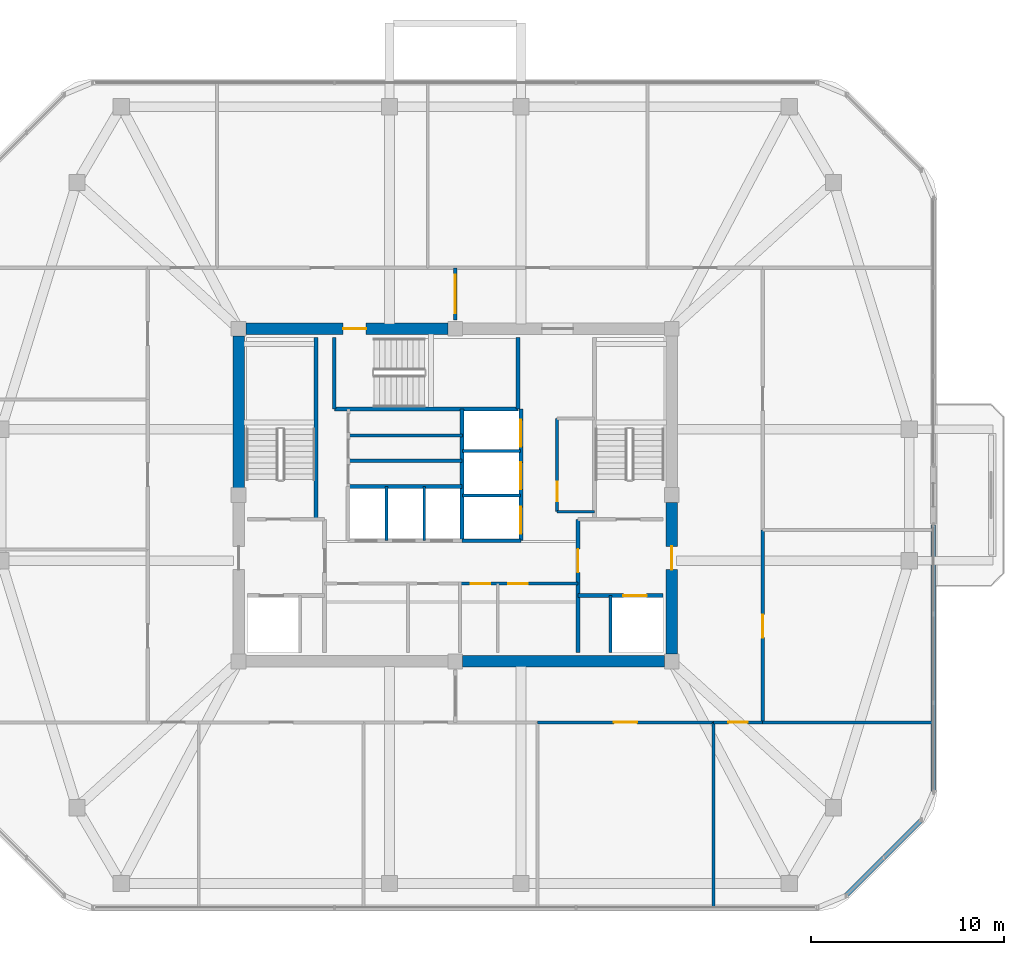
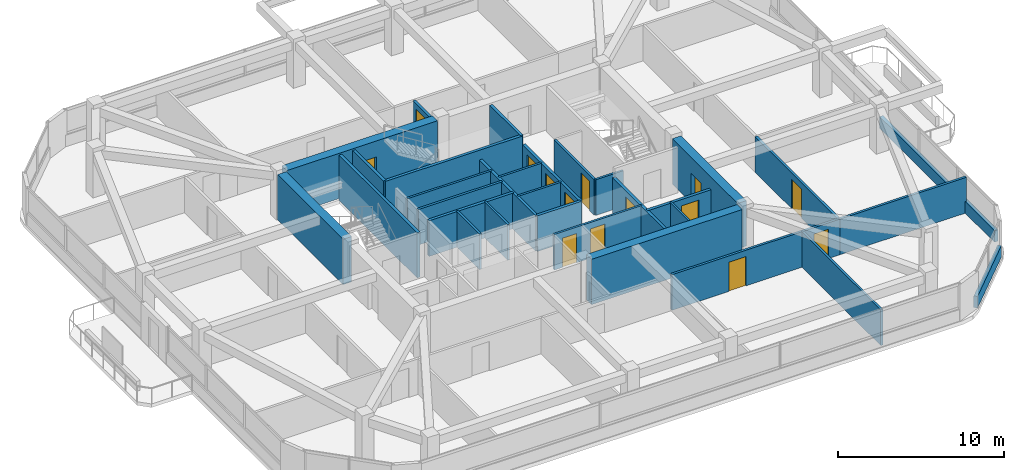
# One storey, part 10 of 13: 32 walls, 14 doors, 14 openings.
"""IFC4 building model written with IfcOpenShell, lengths in metres."""

from ifc_helpers import new_model, si_unit, derived_unit, direction, frame, frame_2d, origin, place, context, subcontext, project, spatial, rectangle, extrude, material, layer, layer_set, type_object, element, fill, save


model = new_model("IFC4")

# Units and contexts
model_context = context("Model", 3, precision=1e-05, world=origin(), true_north=direction((0.0, 1.0)))
body_context = subcontext(model_context, "Body", "Model", "MODEL_VIEW")
ifc_project = project(units=[si_unit("LENGTHUNIT", "METRE"), si_unit("AREAUNIT", "SQUARE_METRE"), si_unit("VOLUMEUNIT", "CUBIC_METRE"), si_unit("PLANEANGLEUNIT", "RADIAN"), si_unit("MASSUNIT", "GRAM", prefix="KILO"), derived_unit("THERMALTRANSMITTANCEUNIT", [(si_unit("POWERUNIT", "WATT"), 1), (si_unit("LENGTHUNIT", "METRE"), -2), (si_unit("THERMODYNAMICTEMPERATUREUNIT", "KELVIN"), -1)])], contexts=[model_context])

# Site, building, storey
site_placement = place(None, origin())
site = spatial("IfcSite", under=ifc_project, at=site_placement, CompositionType="ELEMENT")
building_placement = place(site_placement, origin())
building = spatial("IfcBuilding", under=site, at=building_placement, Name="Koralith Skygarden Medical Center", CompositionType="ELEMENT")
storey_placement = place(building_placement, frame((0.0, 0.0, 271.6201171875)))
storey = spatial("IfcBuildingStorey", under=building, at=storey_placement, Name="L70", CompositionType="ELEMENT", Elevation=271.6201171875)

# Wall, openings, doors
ifc_material_1 = material(Name="Gypsum Board Partition")
ifc_layer_1 = layer(ifc_material_1, 0.14990234375)
ifc_layer_set_1 = layer_set([ifc_layer_1], Name="Gypsum Board Partition")
wall_type_1 = type_object("IfcWallType", Name="Clinical Acoustic Partition 150", PredefinedType="PARTITIONING", material=ifc_layer_set_1)
wall_1_placement = place(storey_placement, frame((37.25, 21.320068359375, 0.0), z_axis=(0.0, 0.0, 1.0), x_axis=(1.0, 0.0, 0.0)))
wall_1 = element("IfcWall", 1, at=wall_1_placement, inside=storey, type_object=wall_type_1, Name="L70 Clinical Acoustic Partition 150 W-CORE-L70-FREED-MR-N", PredefinedType="PARTITIONING", context=body_context, shape_type="SweptSolid", body=[
    extrude(rectangle(XDim=6.10009765625, YDim=0.14990234375, at=frame_2d((3.050048828125, 0.0))), origin(), (0.0, 0.0, 1.0), 2.60986328125),
])
opening_1_placement = place(wall_1_placement, frame((0.550048828125, 0.0, 0.0)))
opening_1 = element("IfcOpeningElement", 2, at=opening_1_placement, cuts=wall_1, Name="Opening D-SUP", PredefinedType="OPENING", context=body_context, shape_type="SweptSolid", body=[
    extrude(rectangle(XDim=1.0, YDim=2.14990234375, at=frame_2d((0.5, 1.074951171875))), frame((0.0, 0.0849609375, 0.0), z_axis=(0.0, -1.0, 0.0), x_axis=(1.0, 0.0, 0.0)), (0.0, 0.0, 1.0), 0.169921875),
])
opening_2_placement = place(wall_1_placement, frame((2.5, 0.0, 0.0)))
opening_2 = element("IfcOpeningElement", 3, at=opening_2_placement, cuts=wall_1, Name="Opening D-SUP", PredefinedType="OPENING", context=body_context, shape_type="SweptSolid", body=[
    extrude(rectangle(XDim=1.0, YDim=2.14990234375, at=frame_2d((0.5, 1.074951171875))), frame((0.0, 0.0849609375, 0.0), z_axis=(0.0, -1.0, 0.0), x_axis=(1.0, 0.0, 0.0)), (0.0, 0.0, 1.0), 0.169921875),
])
ifc_material_2 = material(Name="Aluminium 6063-T6", Category="aluminium")
door_type_1 = type_object("IfcDoorType", Name="Clinical Support Door D-SUP 1000", OperationType="NOTDEFINED", PredefinedType="DOOR", material=ifc_material_2)
door_1_placement = place(opening_1_placement, frame((1.0, 0.0, 0.0), z_axis=(0.0, 0.0, 1.0), x_axis=(-1.0, 0.0, 0.0)))
door_1 = element("IfcDoor", 4, at=door_1_placement, inside=storey, type_object=door_type_1, Name="L70 Satellite Pharmacy Door", OperationType="SINGLE_SWING_LEFT", OverallHeight=2.14990234375, OverallWidth=1.0, PredefinedType="DOOR", context=body_context, shape_type="SweptSolid", body=[
    extrude(rectangle(XDim=1.0, YDim=2.14990234375, at=frame_2d((0.5, 1.074951171875))), frame((0.0, 0.02490234375, 0.0), z_axis=(0.0, -1.0, 0.0), x_axis=(1.0, 0.0, 0.0)), (0.0, 0.0, 1.0), 0.050048828125),
])
fill(opening_1, door_1)
door_2_placement = place(opening_2_placement, frame((1.0, 0.0, 0.0), z_axis=(0.0, 0.0, 1.0), x_axis=(-1.0, 0.0, 0.0)))
door_2 = element("IfcDoor", 5, at=door_2_placement, inside=storey, type_object=door_type_1, Name="L70 Biomedical Equipment Door", OperationType="SINGLE_SWING_RIGHT", OverallHeight=2.14990234375, OverallWidth=1.0, PredefinedType="DOOR", context=body_context, shape_type="SweptSolid", body=[
    extrude(rectangle(XDim=1.0, YDim=2.14990234375, at=frame_2d((0.5, 1.074951171875))), frame((0.0, 0.02490234375, 0.0), z_axis=(0.0, -1.0, 0.0), x_axis=(1.0, 0.0, 0.0)), (0.0, 0.0, 1.0), 0.050048828125),
])
fill(opening_2, door_2)

# Wall, opening, door
wall_2_placement = place(storey_placement, frame((42.27001953125, 25.0400390625, 0.0), z_axis=(0.0, 0.0, 1.0), x_axis=(0.0, 1.0, 0.0)))
wall_2 = element("IfcWall", 6, at=wall_2_placement, inside=storey, type_object=wall_type_1, Name="L70 Clinical Acoustic Partition 150 W-CORE-L70-ESUB-W", PredefinedType="PARTITIONING", context=body_context, shape_type="SweptSolid", body=[
    extrude(rectangle(XDim=4.820068359375, YDim=0.14990234375, at=frame_2d((2.41015625, 0.0))), origin(), (0.0, 0.0, 1.0), 2.60986328125),
])
opening_3_placement = place(wall_2_placement, frame((0.550048828125, 0.0, 0.0)))
opening_3 = element("IfcOpeningElement", 7, at=opening_3_placement, cuts=wall_2, Name="Opening D-SUP", PredefinedType="OPENING", context=body_context, shape_type="SweptSolid", body=[
    extrude(rectangle(XDim=1.0, YDim=2.14990234375, at=frame_2d((0.5, 1.074951171875))), frame((0.0, 0.0849609375, 0.0), z_axis=(0.0, -1.0, 0.0), x_axis=(1.0, 0.0, 0.0)), (0.0, 0.0, 1.0), 0.169921875),
])
door_3_placement = place(opening_3_placement, origin())
door_3 = element("IfcDoor", 8, at=door_3_placement, inside=storey, type_object=door_type_1, Name="L70 Core Equipment Store Door", OperationType="SINGLE_SWING_LEFT", OverallHeight=2.14990234375, OverallWidth=1.0, PredefinedType="DOOR", context=body_context, shape_type="SweptSolid", body=[
    extrude(rectangle(XDim=1.0, YDim=2.14990234375, at=frame_2d((0.5, 1.074951171875))), frame((0.0, 0.02490234375, 0.0), z_axis=(0.0, -1.0, 0.0), x_axis=(1.0, 0.0, 0.0)), (0.0, 0.0, 1.0), 0.050048828125),
])
fill(opening_3, door_3)

# Walls
wall_3_placement = place(storey_placement, frame((42.27001953125, 25.0400390625, 0.0), z_axis=(0.0, 0.0, 1.0), x_axis=(1.0, 0.0, 0.0)))
element("IfcWall", 9, at=wall_3_placement, inside=storey, type_object=wall_type_1, Name="L70 Clinical Acoustic Partition 150 W-CORE-L70-ESUB-S", PredefinedType="PARTITIONING", context=body_context, shape_type="SweptSolid", body=[
    extrude(rectangle(XDim=1.929931640625, YDim=0.14990234375, at=frame_2d((0.96484375, 0.0))), origin(), (0.0, 0.0, 1.0), 2.60986328125),
])
wall_4_placement = place(storey_placement, frame((31.47998046875, 28.97998046875, 0.0), z_axis=(0.0, 0.0, 1.0), x_axis=(1.0, 0.0, 0.0)))
element("IfcWall", 10, at=wall_4_placement, inside=storey, type_object=wall_type_1, Name="L70 Clinical Acoustic Partition 150 W-CORE-L70-FLEX-H1B", PredefinedType="PARTITIONING", context=body_context, shape_type="SweptSolid", body=[
    extrude(rectangle(XDim=5.89013671875, YDim=0.14990234375, at=frame_2d((2.945068359375, 0.0))), origin(), (0.0, 0.0, 1.0), 2.60986328125),
])
wall_5_placement = place(storey_placement, frame((50.35009765625, 14.14990234375, 0.0), z_axis=(0.0, 0.0, 1.0), x_axis=(0.0, -1.0, 0.0)))
element("IfcWall", 11, at=wall_5_placement, inside=storey, type_object=wall_type_1, Name="L70 Clinical Acoustic Partition 150 W-PART-L70-S-04", PredefinedType="PARTITIONING", context=body_context, shape_type="SweptSolid", body=[
    extrude(rectangle(XDim=9.5498046875, YDim=0.14990234375, at=frame_2d((4.77490234375, 0.0))), origin(), (0.0, 0.0, 1.0), 2.60986328125),
])
ifc_layer_2 = layer(ifc_material_1, 0.1650390625)
ifc_layer_set_2 = layer_set([ifc_layer_2], Name="Gypsum Board Partition")
wall_type_2 = type_object("IfcWallType", Name="Clinical Corridor Partition 165", PredefinedType="PARTITIONING", material=ifc_layer_set_2)
wall_6_placement = place(storey_placement, frame((52.89990234375, 14.14990234375, 0.0), z_axis=(0.0, 0.0, 1.0), x_axis=(1.0, 0.0, 0.0)))
element("IfcWall", 12, at=wall_6_placement, inside=storey, type_object=wall_type_2, Name="L70 Clinical Corridor Partition 165 W-WB-L70-SE", PredefinedType="PARTITIONING", context=body_context, shape_type="SweptSolid", body=[
    extrude(rectangle(XDim=8.800048828125, YDim=0.1650390625, at=frame_2d((4.39990234375, 0.0))), origin(), (0.0, 0.0, 1.0), 2.60986328125),
])

# Wall, opening, door
wall_7_placement = place(storey_placement, frame((41.261962890625, 14.14990234375, 0.0), z_axis=(0.0, 0.0, 1.0), x_axis=(1.0, 0.0, 0.0)))
wall_7 = element("IfcWall", 13, at=wall_7_placement, inside=storey, type_object=wall_type_2, Name="L70 Clinical Corridor Partition 165 W-CORR-L70-S-04", PredefinedType="PARTITIONING", context=body_context, shape_type="SweptSolid", body=[
    extrude(rectangle(XDim=9.088134765625, YDim=0.1650390625, at=frame_2d((4.5439453125, 0.0))), origin(), (0.0, 0.0, 1.0), 2.60986328125),
])
opening_4_placement = place(wall_7_placement, frame((3.944091796875, 0.0, 0.0)))
opening_4 = element("IfcOpeningElement", 14, at=opening_4_placement, cuts=wall_7, Name="Opening D-CLN", PredefinedType="OPENING", context=body_context, shape_type="SweptSolid", body=[
    extrude(rectangle(XDim=1.199951171875, YDim=2.14990234375, at=frame_2d((0.60009765625, 1.074951171875))), frame((0.0, 0.092529296875, 0.0), z_axis=(0.0, -1.0, 0.0), x_axis=(1.0, 0.0, 0.0)), (0.0, 0.0, 1.0), 0.18505859375),
])
door_type_2 = type_object("IfcDoorType", Name="Clinical Corridor Door D-CLN 1200", OperationType="NOTDEFINED", PredefinedType="DOOR", material=ifc_material_2)
door_4_placement = place(opening_4_placement, frame((1.199951171875, 0.0, 0.0), z_axis=(0.0, 0.0, 1.0), x_axis=(-1.0, 0.0, 0.0)))
door_4 = element("IfcDoor", 15, at=door_4_placement, inside=storey, type_object=door_type_2, Name="L70 Oxygen Cylinder Alcove Store 08 Door", OperationType="SINGLE_SWING_LEFT", OverallHeight=2.14990234375, OverallWidth=1.199951171875, PredefinedType="DOOR", context=body_context, shape_type="SweptSolid", body=[
    extrude(rectangle(XDim=1.199951171875, YDim=2.14990234375, at=frame_2d((0.60009765625, 1.074951171875))), frame((0.0, 0.02490234375, 0.0), z_axis=(0.0, -1.0, 0.0), x_axis=(1.0, 0.0, 0.0)), (0.0, 0.0, 1.0), 0.050048828125),
])
fill(opening_4, door_4)

wall_8_placement = place(storey_placement, frame((50.35009765625, 14.14990234375, 0.0), z_axis=(0.0, 0.0, 1.0), x_axis=(1.0, 0.0, 0.0)))
wall_8 = element("IfcWall", 16, at=wall_8_placement, inside=storey, type_object=wall_type_2, Name="L70 Clinical Corridor Partition 165 W-CORR-L70-S-05", PredefinedType="PARTITIONING", context=body_context, shape_type="SweptSolid", body=[
    extrude(rectangle(XDim=2.5498046875, YDim=0.1650390625, at=frame_2d((1.27490234375, 0.0))), origin(), (0.0, 0.0, 1.0), 2.60986328125),
])
opening_5_placement = place(wall_8_placement, frame((0.77490234375, 0.0, 0.0)))
opening_5 = element("IfcOpeningElement", 17, at=opening_5_placement, cuts=wall_8, Name="Opening D-SUP", PredefinedType="OPENING", context=body_context, shape_type="SweptSolid", body=[
    extrude(rectangle(XDim=1.0, YDim=2.14990234375, at=frame_2d((0.5, 1.074951171875))), frame((0.0, 0.092529296875, 0.0), z_axis=(0.0, -1.0, 0.0), x_axis=(1.0, 0.0, 0.0)), (0.0, 0.0, 1.0), 0.18505859375),
])
door_5_placement = place(opening_5_placement, frame((1.0, 0.0, 0.0), z_axis=(0.0, 0.0, 1.0), x_axis=(-1.0, 0.0, 0.0)))
door_5 = element("IfcDoor", 18, at=door_5_placement, inside=storey, type_object=door_type_1, Name="L70 Pulmonary Rehab Exercise Hall 09 Door", OperationType="SINGLE_SWING_RIGHT", OverallHeight=2.14990234375, OverallWidth=1.0, PredefinedType="DOOR", context=body_context, shape_type="SweptSolid", body=[
    extrude(rectangle(XDim=1.0, YDim=2.14990234375, at=frame_2d((0.5, 1.074951171875))), frame((0.0, 0.02490234375, 0.0), z_axis=(0.0, -1.0, 0.0), x_axis=(1.0, 0.0, 0.0)), (0.0, 0.0, 1.0), 0.050048828125),
])
fill(opening_5, door_5)

wall_9_placement = place(storey_placement, frame((52.89990234375, 14.14990234375, 0.0), z_axis=(0.0, 0.0, 1.0), x_axis=(0.0, 1.0, 0.0)))
wall_9 = element("IfcWall", 19, at=wall_9_placement, inside=storey, type_object=wall_type_2, Name="L70 Clinical Corridor Partition 165 W-CORR-L70-E-01", PredefinedType="PARTITIONING", context=body_context, shape_type="SweptSolid", body=[
    extrude(rectangle(XDim=9.9501953125, YDim=0.1650390625, at=frame_2d((4.97509765625, 0.0))), origin(), (0.0, 0.0, 1.0), 2.60986328125),
])
opening_6_placement = place(wall_9_placement, frame((4.375, 0.0, 0.0)))
opening_6 = element("IfcOpeningElement", 20, at=opening_6_placement, cuts=wall_9, Name="Opening D-CLN", PredefinedType="OPENING", context=body_context, shape_type="SweptSolid", body=[
    extrude(rectangle(XDim=1.199951171875, YDim=2.14990234375, at=frame_2d((0.60009765625, 1.074951171875))), frame((0.0, 0.092529296875, 0.0), z_axis=(0.0, -1.0, 0.0), x_axis=(1.0, 0.0, 0.0)), (0.0, 0.0, 1.0), 0.18505859375),
])
door_6_placement = place(opening_6_placement, origin())
door_6 = element("IfcDoor", 21, at=door_6_placement, inside=storey, type_object=door_type_2, Name="L70 Oxygen Cylinder Alcove Store 13 Door", OperationType="SINGLE_SWING_RIGHT", OverallHeight=2.14990234375, OverallWidth=1.199951171875, PredefinedType="DOOR", context=body_context, shape_type="SweptSolid", body=[
    extrude(rectangle(XDim=1.199951171875, YDim=2.14990234375, at=frame_2d((0.60009765625, 1.074951171875))), frame((0.0, 0.02490234375, 0.0), z_axis=(0.0, -1.0, 0.0), x_axis=(1.0, 0.0, 0.0)), (0.0, 0.0, 1.0), 0.050048828125),
])
fill(opening_6, door_6)

ifc_layer_3 = layer(ifc_material_1, 0.199951171875)
ifc_layer_set_3 = layer_set([ifc_layer_3], Name="Gypsum Board Partition")
wall_type_3 = type_object("IfcWallType", Name="Fire Shaft Wall 200", PredefinedType="SOLIDWALL", material=ifc_layer_set_3)
wall_10_placement = place(storey_placement, frame((43.35009765625, 20.699951171875, 0.0), z_axis=(0.0, 0.0, 1.0), x_axis=(1.0, 0.0, 0.0)))
wall_10 = element("IfcWall", 22, at=wall_10_placement, inside=storey, type_object=wall_type_3, Name="L70 Fire Shaft Wall 200 W-CORE-L70-FF2-N", PredefinedType="SOLIDWALL", context=body_context, shape_type="SweptSolid", body=[
    extrude(rectangle(XDim=4.39990234375, YDim=0.199951171875, at=frame_2d((2.199951171875, 0.0))), origin(), (0.0, 0.0, 1.0), 2.60986328125),
])
opening_7_placement = place(wall_10_placement, frame((2.35009765625, 0.0, 0.0)))
opening_7 = element("IfcOpeningElement", 23, at=opening_7_placement, cuts=wall_10, Name="Opening LD-FF", PredefinedType="OPENING", context=body_context, shape_type="SweptSolid", body=[
    extrude(rectangle(XDim=1.199951171875, YDim=2.14990234375, at=frame_2d((0.60009765625, 1.074951171875))), frame((0.0, 0.10986328125, 0.0), z_axis=(0.0, -1.0, 0.0), x_axis=(1.0, 0.0, 0.0)), (0.0, 0.0, 1.0), 0.219970703125),
])
ifc_material_3 = material(Name="Steel ASTM A500 Grade C", Category="steel")
door_type_3 = type_object("IfcDoorType", Name="Fire Lift Sliding Landing Door LD-FF 1200", OperationType="NOTDEFINED", PredefinedType="DOOR", material=ifc_material_3)
door_7_placement = place(opening_7_placement, origin())
door_7 = element("IfcDoor", 24, at=door_7_placement, inside=storey, type_object=door_type_3, Name="L70 Fire Service Elevator FF2 Landing Door", OperationType="SLIDING_TO_RIGHT", OverallHeight=2.14990234375, OverallWidth=1.199951171875, PredefinedType="DOOR", context=body_context, shape_type="SweptSolid", body=[
    extrude(rectangle(XDim=1.199951171875, YDim=2.14990234375, at=frame_2d((0.60009765625, 1.074951171875))), frame((0.0, 0.02490234375, 0.0), z_axis=(0.0, -1.0, 0.0), x_axis=(1.0, 0.0, 0.0)), (0.0, 0.0, 1.0), 0.050048828125),
])
fill(opening_7, door_7)

wall_11_placement = place(storey_placement, frame((43.35009765625, 17.75, 0.0), z_axis=(0.0, 0.0, 1.0), x_axis=(0.0, 1.0, 0.0)))
wall_11 = element("IfcWall", 25, at=wall_11_placement, inside=storey, type_object=wall_type_3, Name="L70 Fire Shaft Wall 200 W-CORE-L70-FSAEE-W", PredefinedType="SOLIDWALL", context=body_context, shape_type="SweptSolid", body=[
    extrude(rectangle(XDim=6.89990234375, YDim=0.199951171875, at=frame_2d((3.449951171875, 0.0))), origin(), (0.0, 0.0, 1.0), 2.60986328125),
])
opening_8_placement = place(wall_11_placement, frame((4.14990234375, 0.0, 0.0)))
opening_8 = element("IfcOpeningElement", 26, at=opening_8_placement, cuts=wall_11, Name="Opening D-ST60", PredefinedType="OPENING", context=body_context, shape_type="SweptSolid", body=[
    extrude(rectangle(XDim=1.199951171875, YDim=2.14990234375, at=frame_2d((0.60009765625, 1.074951171875))), frame((0.0, 0.10986328125, 0.0), z_axis=(0.0, -1.0, 0.0), x_axis=(1.0, 0.0, 0.0)), (0.0, 0.0, 1.0), 0.219970703125),
])
door_type_4 = type_object("IfcDoorType", Name="Smokeproof Stair Fire Door FD60S 1200", OperationType="NOTDEFINED", PredefinedType="DOOR", material=ifc_material_3)
door_8_placement = place(opening_8_placement, frame((1.199951171875, 0.0, 0.0), z_axis=(0.0, 0.0, 1.0), x_axis=(-1.0, 0.0, 0.0)))
door_8 = element("IfcDoor", 27, at=door_8_placement, inside=storey, type_object=door_type_4, Name="L70 East Firefighting Lobby Inner Fire Door", OperationType="SINGLE_SWING_RIGHT", OverallHeight=2.14990234375, OverallWidth=1.199951171875, PredefinedType="DOOR", context=body_context, shape_type="SweptSolid", body=[
    extrude(rectangle(XDim=1.199951171875, YDim=2.14990234375, at=frame_2d((0.60009765625, 1.074951171875))), frame((0.0, 0.02490234375, 0.0), z_axis=(0.0, -1.0, 0.0), x_axis=(1.0, 0.0, 0.0)), (0.0, 0.0, 1.0), 0.050048828125),
])
fill(opening_8, door_8)

# Walls
wall_12_placement = place(storey_placement, frame((31.449951171875, 26.35009765625, 0.0), z_axis=(0.0, 0.0, 1.0), x_axis=(1.0, 0.0, 0.0)))
element("IfcWall", 28, at=wall_12_placement, inside=storey, type_object=wall_type_3, Name="L70 Fire Shaft Wall 200 W-CORE-L70-PH-N", PredefinedType="SOLIDWALL", context=body_context, shape_type="SweptSolid", body=[
    extrude(rectangle(XDim=5.900146484375, YDim=0.199951171875, at=frame_2d((2.9501953125, 0.0))), origin(), (0.0, 0.0, 1.0), 2.60986328125),
])
wall_13_placement = place(storey_placement, frame((37.35009765625, 23.5400390625, 0.0), z_axis=(0.0, 0.0, 1.0), x_axis=(0.0, 1.0, 0.0)))
element("IfcWall", 29, at=wall_13_placement, inside=storey, type_object=wall_type_3, Name="L70 Fire Shaft Wall 200 W-CORE-L70-SV-W", PredefinedType="SOLIDWALL", context=body_context, shape_type="SweptSolid", body=[
    extrude(rectangle(XDim=6.820068359375, YDim=0.199951171875, at=frame_2d((3.41015625, 0.0))), origin(), (0.0, 0.0, 1.0), 2.60986328125),
])
wall_14_placement = place(storey_placement, frame((37.35009765625, 23.5400390625, 0.0), z_axis=(0.0, 0.0, 1.0), x_axis=(1.0, 0.0, 0.0)))
element("IfcWall", 30, at=wall_14_placement, inside=storey, type_object=wall_type_3, Name="L70 Fire Shaft Wall 200 W-CORE-L70-SV-S", PredefinedType="SOLIDWALL", context=body_context, shape_type="SweptSolid", body=[
    extrude(rectangle(XDim=3.0498046875, YDim=0.199951171875, at=frame_2d((1.52490234375, 0.0))), origin(), (0.0, 0.0, 1.0), 2.60986328125),
])

# Wall, openings, doors
wall_15_placement = place(storey_placement, frame((40.39990234375, 23.5400390625, 0.0), z_axis=(0.0, 0.0, 1.0), x_axis=(0.0, 1.0, 0.0)))
wall_15 = element("IfcWall", 31, at=wall_15_placement, inside=storey, type_object=wall_type_3, Name="L70 Fire Shaft Wall 200 W-CORE-L70-SV-E", PredefinedType="SOLIDWALL", context=body_context, shape_type="SweptSolid", body=[
    extrude(rectangle(XDim=6.820068359375, YDim=0.199951171875, at=frame_2d((3.41015625, 0.0))), origin(), (0.0, 0.0, 1.0), 2.60986328125),
])
opening_9_placement = place(wall_15_placement, frame((0.35009765625, 0.0, 0.0)))
opening_9 = element("IfcOpeningElement", 32, at=opening_9_placement, cuts=wall_15, Name="Opening LD-SV", PredefinedType="OPENING", context=body_context, shape_type="SweptSolid", body=[
    extrude(rectangle(XDim=1.39990234375, YDim=2.199951171875, at=frame_2d((0.699951171875, 1.10009765625))), frame((0.0, 0.10986328125, 0.0), z_axis=(0.0, -1.0, 0.0), x_axis=(1.0, 0.0, 0.0)), (0.0, 0.0, 1.0), 0.219970703125),
])
opening_10_placement = place(wall_15_placement, frame((2.64990234375, 0.0, 0.0)))
opening_10 = element("IfcOpeningElement", 33, at=opening_10_placement, cuts=wall_15, Name="Opening LD-SV", PredefinedType="OPENING", context=body_context, shape_type="SweptSolid", body=[
    extrude(rectangle(XDim=1.39990234375, YDim=2.199951171875, at=frame_2d((0.699951171875, 1.10009765625))), frame((0.0, 0.10986328125, 0.0), z_axis=(0.0, -1.0, 0.0), x_axis=(1.0, 0.0, 0.0)), (0.0, 0.0, 1.0), 0.219970703125),
])
opening_11_placement = place(wall_15_placement, frame((4.85009765625, 0.0, 0.0)))
opening_11 = element("IfcOpeningElement", 34, at=opening_11_placement, cuts=wall_15, Name="Opening LD-SV", PredefinedType="OPENING", context=body_context, shape_type="SweptSolid", body=[
    extrude(rectangle(XDim=1.39990234375, YDim=2.199951171875, at=frame_2d((0.699951171875, 1.10009765625))), frame((0.0, 0.10986328125, 0.0), z_axis=(0.0, -1.0, 0.0), x_axis=(1.0, 0.0, 0.0)), (0.0, 0.0, 1.0), 0.219970703125),
])
door_type_5 = type_object("IfcDoorType", Name="Bed Lift Sliding Landing Door LD-SV 1400", OperationType="NOTDEFINED", PredefinedType="DOOR", material=ifc_material_3)
door_9_placement = place(opening_9_placement, origin())
door_9 = element("IfcDoor", 35, at=door_9_placement, inside=storey, type_object=door_type_5, Name="L70 Bed Elevator BD1 Landing Door", OperationType="SLIDING_TO_LEFT", OverallHeight=2.199951171875, OverallWidth=1.39990234375, PredefinedType="DOOR", context=body_context, shape_type="SweptSolid", body=[
    extrude(rectangle(XDim=1.39990234375, YDim=2.199951171875, at=frame_2d((0.699951171875, 1.10009765625))), frame((0.0, 0.02490234375, 0.0), z_axis=(0.0, -1.0, 0.0), x_axis=(1.0, 0.0, 0.0)), (0.0, 0.0, 1.0), 0.050048828125),
])
fill(opening_9, door_9)
door_10_placement = place(opening_10_placement, origin())
door_10 = element("IfcDoor", 36, at=door_10_placement, inside=storey, type_object=door_type_5, Name="L70 Service Elevator BD2 Landing Door", OperationType="SLIDING_TO_LEFT", OverallHeight=2.199951171875, OverallWidth=1.39990234375, PredefinedType="DOOR", context=body_context, shape_type="SweptSolid", body=[
    extrude(rectangle(XDim=1.39990234375, YDim=2.199951171875, at=frame_2d((0.699951171875, 1.10009765625))), frame((0.0, 0.02490234375, 0.0), z_axis=(0.0, -1.0, 0.0), x_axis=(1.0, 0.0, 0.0)), (0.0, 0.0, 1.0), 0.050048828125),
])
fill(opening_10, door_10)
door_11_placement = place(opening_11_placement, origin())
door_11 = element("IfcDoor", 37, at=door_11_placement, inside=storey, type_object=door_type_5, Name="L70 Trauma Elevator TR1 Landing Door", OperationType="SLIDING_TO_RIGHT", OverallHeight=2.199951171875, OverallWidth=1.39990234375, PredefinedType="DOOR", context=body_context, shape_type="SweptSolid", body=[
    extrude(rectangle(XDim=1.39990234375, YDim=2.199951171875, at=frame_2d((0.699951171875, 1.10009765625))), frame((0.0, 0.02490234375, 0.0), z_axis=(0.0, -1.0, 0.0), x_axis=(1.0, 0.0, 0.0)), (0.0, 0.0, 1.0), 0.050048828125),
])
fill(opening_11, door_11)

# Wall, opening, door
ifc_layer_4 = layer(ifc_material_1, 0.179931640625)
ifc_layer_set_4 = layer_set([ifc_layer_4], Name="Gypsum Board Partition")
wall_type_4 = type_object("IfcWallType", Name="Group I-2 Smoke Barrier Wall 180", PredefinedType="PARTITIONING", material=ifc_layer_set_4)
wall_16_placement = place(storey_placement, frame((37.0, 34.949951171875, 0.0), z_axis=(0.0, 0.0, 1.0), x_axis=(0.0, 1.0, 0.0)))
wall_16 = element("IfcWall", 38, at=wall_16_placement, inside=storey, type_object=wall_type_4, Name="L70 Group I-2 Smoke Barrier Wall 180 W-SMK-L70-N", PredefinedType="PARTITIONING", context=body_context, shape_type="SweptSolid", body=[
    extrude(rectangle(XDim=2.699951171875, YDim=0.179931640625, at=frame_2d((1.35009765625, 0.0))), origin(), (0.0, 0.0, 1.0), 2.60986328125),
])
opening_12_placement = place(wall_16_placement, frame((0.35009765625, 0.0, 0.0)))
opening_12 = element("IfcOpeningElement", 39, at=opening_12_placement, cuts=wall_16, Name="Opening D-SMK", PredefinedType="OPENING", context=body_context, shape_type="SweptSolid", body=[
    extrude(rectangle(XDim=2.0, YDim=2.199951171875, at=frame_2d((1.0, 1.10009765625))), frame((0.0, 0.099853515625, 0.0), z_axis=(0.0, -1.0, 0.0), x_axis=(1.0, 0.0, 0.0)), (0.0, 0.0, 1.0), 0.199951171875),
])
door_type_6 = type_object("IfcDoorType", Name="Cross-Corridor Double Smoke Door FD60S 2000", OperationType="NOTDEFINED", PredefinedType="DOOR", material=ifc_material_3)
door_12_placement = place(opening_12_placement, origin())
door_12 = element("IfcDoor", 40, at=door_12_placement, inside=storey, type_object=door_type_6, Name="L70 N Smoke Compartment Cross-Corridor Door", OperationType="DOUBLE_DOOR_SINGLE_SWING", OverallHeight=2.199951171875, OverallWidth=2.0, PredefinedType="DOOR", context=body_context, shape_type="SweptSolid", body=[
    extrude(rectangle(XDim=2.0, YDim=2.199951171875, at=frame_2d((1.0, 1.10009765625))), frame((0.0, 0.02490234375, 0.0), z_axis=(0.0, -1.0, 0.0), x_axis=(1.0, 0.0, 0.0)), (0.0, 0.0, 1.0), 0.050048828125),
])
fill(opening_12, door_12)

# Walls
ifc_material_4 = material(Name="Warm Oolitic Limestone Cladding", Category="masonry")
ifc_layer_5 = layer(ifc_material_4, 0.239990234375)
ifc_layer_set_5 = layer_set([ifc_layer_5], Name="Warm Oolitic Limestone Cladding")
wall_type_5 = type_object("IfcWallType", Name="Limestone Spandrel Sill Backup Wall 240", PredefinedType="SOLIDWALL", material=ifc_layer_set_5)
wall_17_placement = place(storey_placement, frame((57.196044921875, 5.180908203125, 0.0), z_axis=(0.0, 0.0, 1.0), x_axis=(0.707084777957, 0.707128783731, 0.0)))
element("IfcWall", 41, at=wall_17_placement, inside=storey, type_object=wall_type_5, Name="L70 Sill Spandrel SE", PredefinedType="SOLIDWALL", context=body_context, shape_type="SweptSolid", body=[
    extrude(rectangle(XDim=5.5478515625, YDim=0.239990234375, at=frame_2d((2.77392578125, 0.0))), origin(), (0.0, 0.0, 1.0), 0.849853515625),
])
wall_18_placement = place(storey_placement, frame((61.719970703125, 10.554931640625, 0.0), z_axis=(0.0, 0.0, 1.0), x_axis=(0.0, 1.0, 0.0)))
element("IfcWall", 42, at=wall_18_placement, inside=storey, type_object=wall_type_5, Name="L70 Sill Spandrel E-L", PredefinedType="SOLIDWALL", context=body_context, shape_type="SweptSolid", body=[
    extrude(rectangle(XDim=13.80517578125, YDim=0.239990234375, at=frame_2d((6.902587890625, 0.0))), origin(), (0.0, 0.0, 1.0), 0.849853515625),
])
ifc_layer_6 = layer(ifc_material_1, 0.1650390625)
ifc_layer_set_6 = layer_set([ifc_layer_6], Name="Gypsum Board Partition")
wall_type_6 = type_object("IfcWallType", Name="Plumbing Wet Wall 165", PredefinedType="PLUMBINGWALL", material=ifc_layer_set_6)
wall_19_placement = place(storey_placement, frame((31.47998046875, 27.679931640625, 0.0), z_axis=(0.0, 0.0, 1.0), x_axis=(1.0, 0.0, 0.0)))
element("IfcWall", 43, at=wall_19_placement, inside=storey, type_object=wall_type_6, Name="L70 Plumbing Wet Wall 165 W-CORE-L70-FLEX-H1A", PredefinedType="PLUMBINGWALL", context=body_context, shape_type="SweptSolid", body=[
    extrude(rectangle(XDim=5.8701171875, YDim=0.1650390625, at=frame_2d((2.93505859375, 0.0))), origin(), (0.0, 0.0, 1.0), 2.60986328125),
])
ifc_layer_7 = layer(ifc_material_1, 0.14990234375)
ifc_layer_set_7 = layer_set([ifc_layer_7], Name="Gypsum Board Partition")
wall_type_7 = type_object("IfcWallType", Name="Shaft Partition Wall 150", PredefinedType="PARTITIONING", material=ifc_layer_set_7)
wall_20_placement = place(storey_placement, frame((45.02001953125, 17.75, 0.0), z_axis=(0.0, 0.0, 1.0), x_axis=(0.0, 1.0, 0.0)))
element("IfcWall", 44, at=wall_20_placement, inside=storey, type_object=wall_type_7, Name="L70 Shaft Partition Wall 150 W-CORE-L70-RSRE-DIV", PredefinedType="PARTITIONING", context=body_context, shape_type="SweptSolid", body=[
    extrude(rectangle(XDim=2.949951171875, YDim=0.14990234375, at=frame_2d((1.47509765625, 0.0))), origin(), (0.0, 0.0, 1.0), 2.60986328125),
])
for number, where, z_axis, x_axis, name in (
    (45, (33.449951171875, 23.5400390625, 0.0), (0.0, 0.0, 1.0), (0.0, 1.0, 0.0), "L70 Shaft Partition Wall 150 W-CORE-L70-PH-D1"),
    (46, (35.39990234375, 23.5400390625, 0.0), (0.0, 0.0, 1.0), (0.0, 1.0, 0.0), "L70 Shaft Partition Wall 150 W-CORE-L70-PH-D2"),
):
    element("IfcWall", number, at=place(storey_placement, frame(where, z_axis=z_axis, x_axis=x_axis)), inside=storey, type_object=wall_type_7, Name=name, PredefinedType="PARTITIONING", context=body_context, shape_type="SweptSolid", body=[
        extrude(rectangle(XDim=2.81005859375, YDim=0.14990234375, at=frame_2d((1.405029296875, 0.0))), origin(), (0.0, 0.0, 1.0), 2.60986328125),
    ])
for number, where, z_axis, x_axis, name in (
    (47, (37.3701171875, 25.8701171875, 0.0), (0.0, 0.0, 1.0), (1.0, 0.0, 0.0), "L70 Shaft Partition Wall 150 W-CORE-L70-SV-D1"),
    (48, (37.3701171875, 28.169921875, 0.0), (0.0, 0.0, 1.0), (1.0, 0.0, 0.0), "L70 Shaft Partition Wall 150 W-CORE-L70-SV-D2"),
):
    element("IfcWall", number, at=place(storey_placement, frame(where, z_axis=z_axis, x_axis=x_axis)), inside=storey, type_object=wall_type_7, Name=name, PredefinedType="PARTITIONING", context=body_context, shape_type="SweptSolid", body=[
        extrude(rectangle(XDim=3.009765625, YDim=0.14990234375, at=frame_2d((1.5048828125, 0.0))), origin(), (0.0, 0.0, 1.0), 2.60986328125),
    ])
ifc_material_5 = material(Name="Concrete C45/55", Category="concrete")
ifc_layer_8 = layer(ifc_material_5, 0.199951171875)
ifc_layer_set_8 = layer_set([ifc_layer_8], Name="Concrete C45/55")
wall_type_8 = type_object("IfcWallType", Name="Structural Stair Shaft Wall 200", PredefinedType="SHEAR", material=ifc_layer_set_8)
wall_21_placement = place(storey_placement, frame((29.800048828125, 24.64990234375, 0.0), z_axis=(0.0, 0.0, 1.0), x_axis=(0.0, 1.0, 0.0)))
element("IfcWall", 49, at=wall_21_placement, inside=storey, type_object=wall_type_8, Name="L70 Structural Stair Shaft Wall 200 W-CORE-L70-ST1-E", PredefinedType="SHEAR", context=body_context, shape_type="SweptSolid", body=[
    extrude(rectangle(XDim=9.400146484375, YDim=0.199951171875, at=frame_2d((4.7001953125, 0.0))), origin(), (0.0, 0.0, 1.0), 3.31982421875),
])
wall_22_placement = place(storey_placement, frame((30.75, 30.360107421875, 0.0), z_axis=(0.0, 0.0, 1.0), x_axis=(1.0, 0.0, 0.0)))
element("IfcWall", 50, at=wall_22_placement, inside=storey, type_object=wall_type_8, Name="L70 Structural Stair Shaft Wall 200 W-CORE-L70-ST3-S", PredefinedType="SHEAR", context=body_context, shape_type="SweptSolid", body=[
    extrude(rectangle(XDim=9.5, YDim=0.199951171875, at=frame_2d((4.75, 0.0))), origin(), (0.0, 0.0, 1.0), 3.31982421875),
])
for number, where, z_axis, x_axis, name in (
    (51, (30.75, 30.360107421875, 0.0), (0.0, 0.0, 1.0), (0.0, 1.0, 0.0), "L70 Structural Stair Shaft Wall 200 W-CORE-L70-ST3-W"),
    (52, (40.25, 30.360107421875, 0.0), (0.0, 0.0, 1.0), (0.0, 1.0, 0.0), "L70 Structural Stair Shaft Wall 200 W-CORE-L70-ST3-E"),
):
    element("IfcWall", number, at=place(storey_placement, frame(where, z_axis=z_axis, x_axis=x_axis)), inside=storey, type_object=wall_type_8, Name=name, PredefinedType="SHEAR", context=body_context, shape_type="SweptSolid", body=[
        extrude(rectangle(XDim=3.68994140625, YDim=0.199951171875, at=frame_2d((1.844970703125, 0.0))), origin(), (0.0, 0.0, 1.0), 3.31982421875),
    ])
ifc_material_6 = material(Name="Concrete C55/67", Category="concrete")
ifc_layer_9 = layer(ifc_material_6, 0.60009765625)
ifc_layer_set_9 = layer_set([ifc_layer_9], Name="Concrete C55/67")
wall_type_9 = type_object("IfcWallType", Name="Upper Core Shear Wall 600", PredefinedType="SHEAR", material=ifc_layer_set_9)
wall_23_placement = place(storey_placement, frame((37.375, 17.300048828125, 0.0), z_axis=(0.0, 0.0, 1.0), x_axis=(1.0, 0.0, 0.0)))
element("IfcWall", 53, at=wall_23_placement, inside=storey, type_object=wall_type_9, Name="L70 Core Shear Wall Segment 2", PredefinedType="SHEAR", context=body_context, shape_type="SweptSolid", body=[
    extrude(rectangle(XDim=10.449951171875, YDim=0.60009765625, at=frame_2d((5.22509765625, 0.0))), origin(), (0.0, 0.0, 1.0), 3.31982421875),
])

# Wall, opening, door
wall_24_placement = place(storey_placement, frame((48.199951171875, 17.675048828125, 0.0), z_axis=(0.0, 0.0, 1.0), x_axis=(0.0, 1.0, 0.0)))
wall_24 = element("IfcWall", 54, at=wall_24_placement, inside=storey, type_object=wall_type_9, Name="L70 Core Shear Wall Segment 3", PredefinedType="SHEAR", context=body_context, shape_type="SweptSolid", body=[
    extrude(rectangle(XDim=7.849853515625, YDim=0.60009765625, at=frame_2d((3.9248046875, 0.0))), origin(), (0.0, 0.0, 1.0), 3.31982421875),
])
opening_13_placement = place(wall_24_placement, frame((4.375, 0.0, 0.0)))
opening_13 = element("IfcOpeningElement", 55, at=opening_13_placement, cuts=wall_24, Name="Opening D-ST60", PredefinedType="OPENING", context=body_context, shape_type="SweptSolid", body=[
    extrude(rectangle(XDim=1.199951171875, YDim=2.14990234375, at=frame_2d((0.60009765625, 1.074951171875))), frame((0.0, 0.31005859375, 0.0), z_axis=(0.0, -1.0, 0.0), x_axis=(1.0, 0.0, 0.0)), (0.0, 0.0, 1.0), 0.6201171875),
])
door_13_placement = place(opening_13_placement, frame((1.199951171875, 0.0, 0.0), z_axis=(0.0, 0.0, 1.0), x_axis=(-1.0, 0.0, 0.0)))
door_13 = element("IfcDoor", 56, at=door_13_placement, inside=storey, type_object=door_type_4, Name="L70 East Corridor to Firefighting Lobby Door", OperationType="SINGLE_SWING_RIGHT", OverallHeight=2.14990234375, OverallWidth=1.199951171875, PredefinedType="DOOR", context=body_context, shape_type="SweptSolid", body=[
    extrude(rectangle(XDim=1.199951171875, YDim=2.14990234375, at=frame_2d((0.60009765625, 1.074951171875))), frame((0.0, 0.02490234375, 0.0), z_axis=(0.0, -1.0, 0.0), x_axis=(1.0, 0.0, 0.0)), (0.0, 0.0, 1.0), 0.050048828125),
])
fill(opening_13, door_13)

wall_25_placement = place(storey_placement, frame((36.625, 34.5, 0.0), z_axis=(0.0, 0.0, 1.0), x_axis=(-1.0, 0.0, 0.0)))
wall_25 = element("IfcWall", 57, at=wall_25_placement, inside=storey, type_object=wall_type_9, Name="L70 Core Shear Wall Segment 6", PredefinedType="SHEAR", context=body_context, shape_type="SweptSolid", body=[
    extrude(rectangle(XDim=10.449951171875, YDim=0.60009765625, at=frame_2d((5.22509765625, 0.0))), origin(), (0.0, 0.0, 1.0), 3.31982421875),
])
opening_14_placement = place(wall_25_placement, frame((4.22509765625, 0.0, 0.0)))
opening_14 = element("IfcOpeningElement", 58, at=opening_14_placement, cuts=wall_25, Name="Opening D-ST60", PredefinedType="OPENING", context=body_context, shape_type="SweptSolid", body=[
    extrude(rectangle(XDim=1.199951171875, YDim=2.14990234375, at=frame_2d((0.60009765625, 1.074951171875))), frame((0.0, 0.31005859375, 0.0), z_axis=(0.0, -1.0, 0.0), x_axis=(1.0, 0.0, 0.0)), (0.0, 0.0, 1.0), 0.6201171875),
])
door_14_placement = place(opening_14_placement, frame((1.199951171875, 0.0, 0.0), z_axis=(0.0, 0.0, 1.0), x_axis=(-1.0, 0.0, 0.0)))
door_14 = element("IfcDoor", 59, at=door_14_placement, inside=storey, type_object=door_type_4, Name="L70 Exit Stair ST3 Fire Door", OperationType="SINGLE_SWING_LEFT", OverallHeight=2.14990234375, OverallWidth=1.199951171875, PredefinedType="DOOR", context=body_context, shape_type="SweptSolid", body=[
    extrude(rectangle(XDim=1.199951171875, YDim=2.14990234375, at=frame_2d((0.60009765625, 1.074951171875))), frame((0.0, 0.02490234375, 0.0), z_axis=(0.0, -1.0, 0.0), x_axis=(1.0, 0.0, 0.0)), (0.0, 0.0, 1.0), 0.050048828125),
])
fill(opening_14, door_14)

# Wall
wall_26_placement = place(storey_placement, frame((25.800048828125, 34.125, 0.0), z_axis=(0.0, 0.0, 1.0), x_axis=(0.0, -1.0, 0.0)))
element("IfcWall", 60, at=wall_26_placement, inside=storey, type_object=wall_type_9, Name="L70 Core Shear Wall Segment 7", PredefinedType="SHEAR", context=body_context, shape_type="SweptSolid", body=[
    extrude(rectangle(XDim=7.85009765625, YDim=0.60009765625, at=frame_2d((3.925048828125, 0.0))), origin(), (0.0, 0.0, 1.0), 3.31982421875),
])

save(model, "model.ifc")
